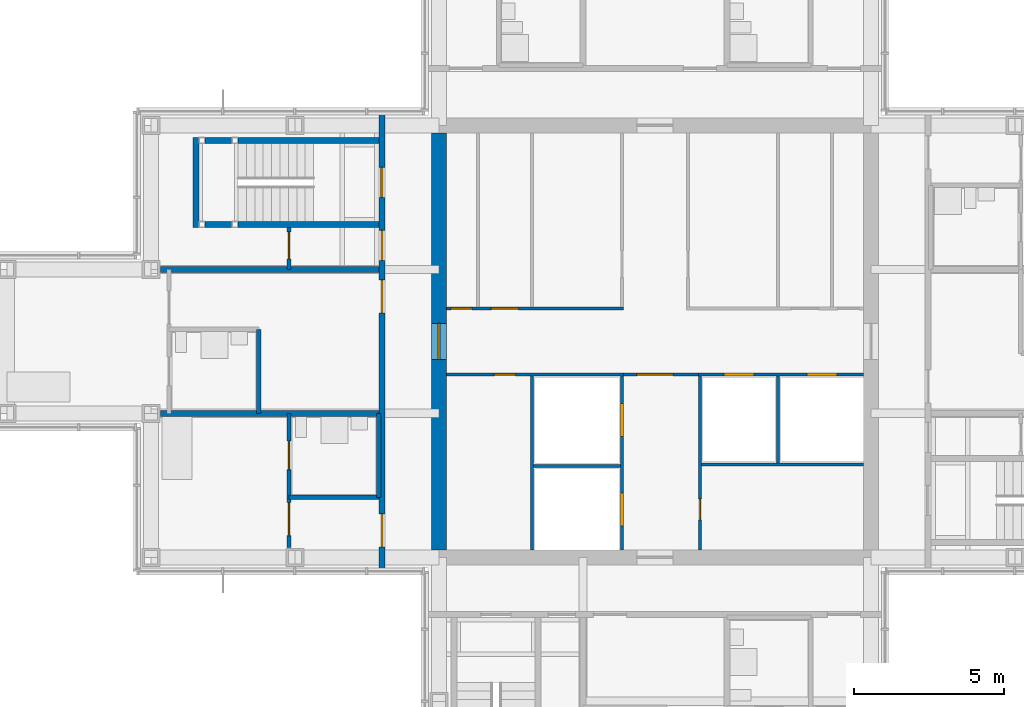
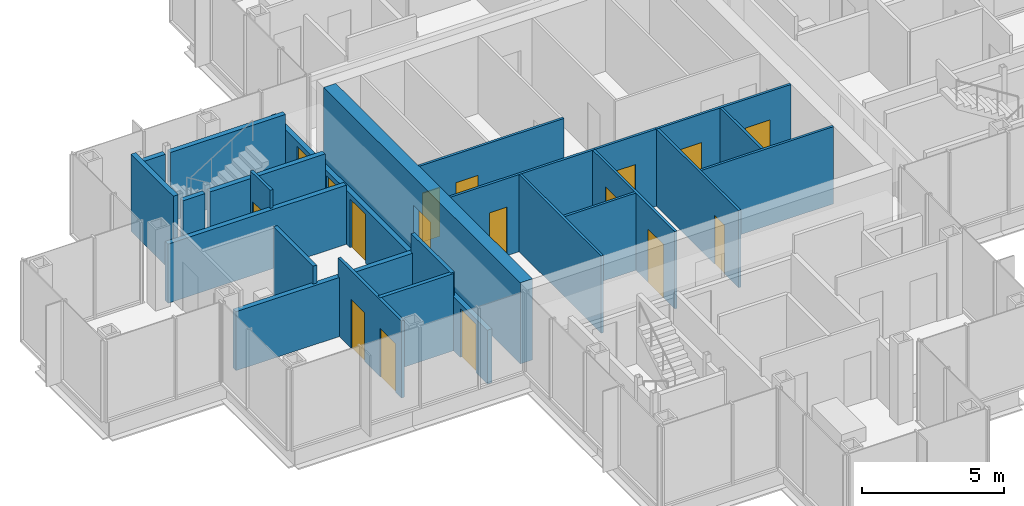
# One storey, part 12 of 17: 24 walls, 17 doors, 17 openings.
"""IFC4 building model written with IfcOpenShell, lengths in metres."""

from ifc_helpers import new_model, si_unit, direction, frame, frame_2d, origin, place, context, subcontext, project, spatial, rectangle, extrude, material, layer, layer_set, type_object, element, fill, save


model = new_model("IFC4")

# Units and contexts
model_context = context("Model", 3, precision=1e-05, world=origin(), true_north=direction((0.0, 1.0)))
body_context = subcontext(model_context, "Body", "Model", "MODEL_VIEW")
ifc_project = project(units=[si_unit("LENGTHUNIT", "METRE"), si_unit("AREAUNIT", "SQUARE_METRE"), si_unit("VOLUMEUNIT", "CUBIC_METRE"), si_unit("PLANEANGLEUNIT", "RADIAN"), si_unit("MASSUNIT", "GRAM", prefix="KILO")], contexts=[model_context])

# Site, building, storey
site_placement = place(None, origin())
site = spatial("IfcSite", under=ifc_project, at=site_placement, CompositionType="ELEMENT")
building_placement = place(site_placement, origin())
building = spatial("IfcBuilding", under=site, at=building_placement, Name="Kvirike Care Tower", CompositionType="ELEMENT")
storey_placement = place(building_placement, frame((0.0, 0.0, 176.0)))
storey = spatial("IfcBuildingStorey", under=building, at=storey_placement, Name="L48", CompositionType="ELEMENT", Elevation=176.0)

# Walls
ifc_material_1 = material(Name="Moisture-resistant board partition", Category="gypsum")
ifc_layer_1 = layer(ifc_material_1, 0.14990234375)
ifc_layer_set_1 = layer_set([ifc_layer_1], Name="BATHROOM WALL 150")
wall_type_1 = type_object("IfcWallType", Name="BATHROOM WALL 150", PredefinedType="PARTITIONING", material=ifc_layer_set_1)
wall_1_placement = place(storey_placement, frame((8.39990234375, 36.39990234375, 0.0), z_axis=(0.0, 0.0, 1.0), x_axis=(0.0, -1.0, 0.0)))
element("IfcWall", 1, at=wall_1_placement, inside=storey, type_object=wall_type_1, Name="Bathroom Wall 150 L48", PredefinedType="PARTITIONING", context=body_context, shape_type="SweptSolid", body=[
    extrude(rectangle(XDim=2.7998046875, YDim=0.14990234375, at=frame_2d((1.39990234375, 0.0))), origin(), (0.0, 0.0, 1.0), 3.330078125),
])
wall_2_placement = place(storey_placement, frame((9.39990234375, 30.800048828125, 0.0), z_axis=(0.0, 0.0, 1.0), x_axis=(1.0, 0.0, 0.0)))
element("IfcWall", 2, at=wall_2_placement, inside=storey, type_object=wall_type_1, Name="Bathroom Wall 150 L48", PredefinedType="PARTITIONING", context=body_context, shape_type="SweptSolid", body=[
    extrude(rectangle(XDim=3.0, YDim=0.14990234375, at=frame_2d((1.5, 0.0))), origin(), (0.0, 0.0, 1.0), 3.330078125),
])
wall_3_placement = place(storey_placement, frame((12.39990234375, 33.60009765625, 0.0), z_axis=(0.0, 0.0, 1.0), x_axis=(0.0, -1.0, 0.0)))
element("IfcWall", 3, at=wall_3_placement, inside=storey, type_object=wall_type_1, Name="Bathroom Wall 150 L48", PredefinedType="PARTITIONING", context=body_context, shape_type="SweptSolid", body=[
    extrude(rectangle(XDim=2.800048828125, YDim=0.14990234375, at=frame_2d((1.39990234375, 0.0))), origin(), (0.0, 0.0, 1.0), 3.330078125),
])

# Wall, opening, door
ifc_material_2 = material(Name="Concrete C45/55", Category="concrete")
ifc_layer_2 = layer(ifc_material_2, 0.5)
ifc_layer_set_2 = layer_set([ifc_layer_2], Name="CORE WALL 500 C45-55")
wall_type_2 = type_object("IfcWallType", Name="CORE WALL 500 C45-55", PredefinedType="SHEAR", material=ifc_layer_set_2)
wall_4_placement = place(storey_placement, frame((14.39990234375, 42.949951171875, -0.169921875), z_axis=(0.0, 0.0, 1.0), x_axis=(0.0, -1.0, 0.0)))
wall_4 = element("IfcWall", 4, at=wall_4_placement, inside=storey, type_object=wall_type_2, Name="Core wall W L48", PredefinedType="SHEAR", context=body_context, shape_type="SweptSolid", body=[
    extrude(rectangle(XDim=13.89990234375, YDim=0.5, at=frame_2d((6.949951171875, 0.0))), origin(), (0.0, 0.0, 1.0), 3.5),
])
opening_1_placement = place(wall_4_placement, frame((6.35009765625, 0.0, 0.169921875)))
opening_1 = element("IfcOpeningElement", 5, at=opening_1_placement, cuts=wall_4, Name="Opening 48-050", PredefinedType="OPENING", context=body_context, shape_type="SweptSolid", body=[
    extrude(rectangle(XDim=1.199951171875, YDim=2.10009765625, at=frame_2d((0.60009765625, 1.050048828125))), frame((0.0, 0.260498046875, 0.0), z_axis=(0.0, -1.0, 0.0), x_axis=(1.0, 0.0, 0.0)), (0.0, 0.0, 1.0), 0.52099609375),
])
ifc_material_3 = material(Name="Timber door set", Category="wood")
door_type_1 = type_object("IfcDoorType", Name="CORE DOOR 1200", OperationType="SINGLE_SWING_LEFT", PredefinedType="DOOR", material=ifc_material_3)
door_1_placement = place(opening_1_placement, origin())
door_1 = element("IfcDoor", 6, at=door_1_placement, inside=storey, type_object=door_type_1, Name="Core door W L48", OperationType="SINGLE_SWING_LEFT", OverallHeight=2.10009765625, OverallWidth=1.199951171875, PredefinedType="DOOR", context=body_context, shape_type="SweptSolid", body=[
    extrude(rectangle(XDim=1.199951171875, YDim=2.10009765625, at=frame_2d((0.60009765625, 1.050048828125))), frame((0.0, 0.02685546875, 0.0), z_axis=(0.0, -1.0, 0.0), x_axis=(1.0, 0.0, 0.0)), (0.0, 0.0, 1.0), 0.053955078125),
])
fill(opening_1, door_1)

# Wall, openings, doors
ifc_material_4 = material(Name="Plasterboard corridor wall", Category="gypsum")
ifc_layer_3 = layer(ifc_material_4, 0.199951171875)
ifc_layer_set_3 = layer_set([ifc_layer_3], Name="CORRIDOR WALL 200")
wall_type_3 = type_object("IfcWallType", Name="CORRIDOR WALL 200", PredefinedType="PARTITIONING", material=ifc_layer_set_3)
wall_5_placement = place(storey_placement, frame((12.5, 43.64990234375, 0.0), z_axis=(0.0, 0.0, 1.0), x_axis=(0.0, -1.0, 0.0)))
wall_5 = element("IfcWall", 7, at=wall_5_placement, inside=storey, type_object=wall_type_3, Name="Corridor Wall 200 L48", PredefinedType="PARTITIONING", context=body_context, shape_type="SweptSolid", body=[
    extrude(rectangle(XDim=15.2998046875, YDim=0.199951171875, at=frame_2d((7.64990234375, 0.0))), origin(), (0.0, 0.0, 1.0), 2.320068359375),
])
opening_2_placement = place(wall_5_placement, frame((1.85009765625, 0.0, 0.0)))
opening_2 = element("IfcOpeningElement", 8, at=opening_2_placement, cuts=wall_5, Name="Opening 48-006", PredefinedType="OPENING", context=body_context, shape_type="SweptSolid", body=[
    extrude(rectangle(XDim=1.0, YDim=2.10009765625, at=frame_2d((0.5, 1.050048828125))), frame((0.0, 0.110595703125, 0.0), z_axis=(0.0, -1.0, 0.0), x_axis=(1.0, 0.0, 0.0)), (0.0, 0.0, 1.0), 0.220947265625),
])
opening_3_placement = place(wall_5_placement, frame((3.949951171875, 0.0, 0.0)))
opening_3 = element("IfcOpeningElement", 9, at=opening_3_placement, cuts=wall_5, Name="Opening 48-007", PredefinedType="OPENING", context=body_context, shape_type="SweptSolid", body=[
    extrude(rectangle(XDim=1.0, YDim=2.10009765625, at=frame_2d((0.5, 1.050048828125))), frame((0.0, 0.110595703125, 0.0), z_axis=(0.0, -1.0, 0.0), x_axis=(1.0, 0.0, 0.0)), (0.0, 0.0, 1.0), 0.220947265625),
])
opening_4_placement = place(wall_5_placement, frame((5.60009765625, 0.0, 0.0)))
opening_4 = element("IfcOpeningElement", 10, at=opening_4_placement, cuts=wall_5, Name="Opening 48-008", PredefinedType="OPENING", context=body_context, shape_type="SweptSolid", body=[
    extrude(rectangle(XDim=1.10009765625, YDim=2.10009765625, at=frame_2d((0.550048828125, 1.050048828125))), frame((0.0, 0.110595703125, 0.0), z_axis=(0.0, -1.0, 0.0), x_axis=(1.0, 0.0, 0.0)), (0.0, 0.0, 1.0), 0.220947265625),
])
opening_5_placement = place(wall_5_placement, frame((13.39990234375, 0.0, 0.0)))
opening_5 = element("IfcOpeningElement", 11, at=opening_5_placement, cuts=wall_5, Name="Opening 48-009", PredefinedType="OPENING", context=body_context, shape_type="SweptSolid", body=[
    extrude(rectangle(XDim=1.10009765625, YDim=2.10009765625, at=frame_2d((0.550048828125, 1.050048828125))), frame((0.0, 0.110595703125, 0.0), z_axis=(0.0, -1.0, 0.0), x_axis=(1.0, 0.0, 0.0)), (0.0, 0.0, 1.0), 0.220947265625),
])
ifc_material_5 = material(Name="Timber door set", Category="wood")
door_type_2 = type_object("IfcDoorType", Name="BEDROOM ENTRANCE DOOR 1100", OperationType="SINGLE_SWING_LEFT", PredefinedType="DOOR", material=ifc_material_5)
door_2_placement = place(opening_4_placement, frame((1.10009765625, 0.0, 0.0), z_axis=(0.0, 0.0, 1.0), x_axis=(-1.0, 0.0, 0.0)))
door_2 = element("IfcDoor", 12, at=door_2_placement, inside=storey, type_object=door_type_2, Name="Memory care bedroom entrance", OperationType="SINGLE_SWING_LEFT", OverallHeight=2.10009765625, OverallWidth=1.10009765625, PredefinedType="DOOR", context=body_context, shape_type="SweptSolid", body=[
    extrude(rectangle(XDim=1.10009765625, YDim=2.10009765625, at=frame_2d((0.550048828125, 1.050048828125))), frame((0.0, 0.02685546875, 0.0), z_axis=(0.0, -1.0, 0.0), x_axis=(1.0, 0.0, 0.0)), (0.0, 0.0, 1.0), 0.053955078125),
])
fill(opening_4, door_2)
door_3_placement = place(opening_5_placement, frame((1.10009765625, 0.0, 0.0), z_axis=(0.0, 0.0, 1.0), x_axis=(-1.0, 0.0, 0.0)))
door_3 = element("IfcDoor", 13, at=door_3_placement, inside=storey, type_object=door_type_2, Name="Memory care bedroom entrance", OperationType="SINGLE_SWING_RIGHT", OverallHeight=2.10009765625, OverallWidth=1.10009765625, PredefinedType="DOOR", context=body_context, shape_type="SweptSolid", body=[
    extrude(rectangle(XDim=1.10009765625, YDim=2.10009765625, at=frame_2d((0.550048828125, 1.050048828125))), frame((0.0, 0.02685546875, 0.0), z_axis=(0.0, -1.0, 0.0), x_axis=(1.0, 0.0, 0.0)), (0.0, 0.0, 1.0), 0.053955078125),
])
fill(opening_5, door_3)
ifc_material_6 = material(Name="Timber door set", Category="wood")
door_type_3 = type_object("IfcDoorType", Name="FLAT ENTRANCE DOOR 1000", OperationType="SINGLE_SWING_LEFT", PredefinedType="DOOR", material=ifc_material_6)
door_4_placement = place(opening_3_placement, frame((1.0, 0.0, 0.0), z_axis=(0.0, 0.0, 1.0), x_axis=(-1.0, 0.0, 0.0)))
door_4 = element("IfcDoor", 14, at=door_4_placement, inside=storey, type_object=door_type_3, Name="Activity room entrance", OperationType="SINGLE_SWING_LEFT", OverallHeight=2.10009765625, OverallWidth=1.0, PredefinedType="DOOR", context=body_context, shape_type="SweptSolid", body=[
    extrude(rectangle(XDim=1.0, YDim=2.10009765625, at=frame_2d((0.5, 1.050048828125))), frame((0.0, 0.02685546875, 0.0), z_axis=(0.0, -1.0, 0.0), x_axis=(1.0, 0.0, 0.0)), (0.0, 0.0, 1.0), 0.053955078125),
])
fill(opening_3, door_4)
ifc_material_7 = material(Name="Timber door set", Category="wood")
door_type_4 = type_object("IfcDoorType", Name="STAIR DOOR 1000", OperationType="SINGLE_SWING_LEFT", PredefinedType="DOOR", material=ifc_material_7)
door_5_placement = place(opening_2_placement, frame((1.0, 0.0, 0.0), z_axis=(0.0, 0.0, 1.0), x_axis=(-1.0, 0.0, 0.0)))
door_5 = element("IfcDoor", 15, at=door_5_placement, inside=storey, type_object=door_type_4, Name="Stair 1 door", OperationType="SINGLE_SWING_LEFT", OverallHeight=2.10009765625, OverallWidth=1.0, PredefinedType="DOOR", context=body_context, shape_type="SweptSolid", body=[
    extrude(rectangle(XDim=1.0, YDim=2.10009765625, at=frame_2d((0.5, 1.050048828125))), frame((0.0, 0.031982421875, 0.0), z_axis=(0.0, -1.0, 0.0), x_axis=(1.0, 0.0, 0.0)), (0.0, 0.0, 1.0), 0.06396484375),
])
fill(opening_2, door_5)

# Wall, opening, door
ifc_material_8 = material(Name="Plasterboard partition", Category="gypsum")
ifc_layer_4 = layer(ifc_material_8, 0.1201171875)
ifc_layer_set_4 = layer_set([ifc_layer_4], Name="PARTITION 120")
wall_type_4 = type_object("IfcWallType", Name="PARTITION 120", PredefinedType="PARTITIONING", material=ifc_layer_set_4)
wall_6_placement = place(storey_placement, frame((9.39990234375, 39.800048828125, 0.0), z_axis=(0.0, 0.0, 1.0), x_axis=(0.0, -1.0, 0.0)))
wall_6 = element("IfcWall", 16, at=wall_6_placement, inside=storey, type_object=wall_type_4, Name="Partition 120 L48", PredefinedType="PARTITIONING", context=body_context, shape_type="SweptSolid", body=[
    extrude(rectangle(XDim=1.400146484375, YDim=0.1201171875, at=frame_2d((0.7001953125, 0.0))), origin(), (0.0, 0.0, 1.0), 3.330078125),
])
opening_6_placement = place(wall_6_placement, frame((0.14990234375, 0.0, 0.0)))
opening_6 = element("IfcOpeningElement", 17, at=opening_6_placement, cuts=wall_6, Name="Opening 48-001", PredefinedType="OPENING", context=body_context, shape_type="SweptSolid", body=[
    extrude(rectangle(XDim=0.89990234375, YDim=2.10009765625, at=frame_2d((0.449951171875, 1.050048828125))), frame((0.0, 0.070556640625, 0.0), z_axis=(0.0, -1.0, 0.0), x_axis=(1.0, 0.0, 0.0)), (0.0, 0.0, 1.0), 0.14111328125),
])
ifc_material_9 = material(Name="Timber door set", Category="wood")
door_type_5 = type_object("IfcDoorType", Name="INTERNAL DOOR 900", OperationType="SINGLE_SWING_LEFT", PredefinedType="DOOR", material=ifc_material_9)
door_6_placement = place(opening_6_placement, origin())
door_6 = element("IfcDoor", 18, at=door_6_placement, inside=storey, type_object=door_type_5, Name="Activity room door", OperationType="SINGLE_SWING_RIGHT", OverallHeight=2.10009765625, OverallWidth=0.89990234375, PredefinedType="DOOR", context=body_context, shape_type="SweptSolid", body=[
    extrude(rectangle(XDim=0.89990234375, YDim=2.10009765625, at=frame_2d((0.449951171875, 1.050048828125))), frame((0.0, 0.02197265625, 0.0), z_axis=(0.0, -1.0, 0.0), x_axis=(1.0, 0.0, 0.0)), (0.0, 0.0, 1.0), 0.0439453125),
])
fill(opening_6, door_6)

# Wall, openings, doors
wall_7_placement = place(storey_placement, frame((9.39990234375, 33.60009765625, 0.0), z_axis=(0.0, 0.0, 1.0), x_axis=(0.0, -1.0, 0.0)))
wall_7 = element("IfcWall", 19, at=wall_7_placement, inside=storey, type_object=wall_type_4, Name="Partition 120 L48", PredefinedType="PARTITIONING", context=body_context, shape_type="SweptSolid", body=[
    extrude(rectangle(XDim=4.47998046875, YDim=0.1201171875, at=frame_2d((2.239990234375, 0.0))), origin(), (0.0, 0.0, 1.0), 3.330078125),
])
opening_7_placement = place(wall_7_placement, frame((2.97509765625, 0.0, 0.0)))
opening_7 = element("IfcOpeningElement", 20, at=opening_7_placement, cuts=wall_7, Name="Opening 48-004", PredefinedType="OPENING", context=body_context, shape_type="SweptSolid", body=[
    extrude(rectangle(XDim=1.10009765625, YDim=2.10009765625, at=frame_2d((0.550048828125, 1.050048828125))), frame((0.0, 0.070556640625, 0.0), z_axis=(0.0, -1.0, 0.0), x_axis=(1.0, 0.0, 0.0)), (0.0, 0.0, 1.0), 0.14111328125),
])
opening_8_placement = place(wall_7_placement, frame((0.925048828125, 0.0, 0.0)))
opening_8 = element("IfcOpeningElement", 21, at=opening_8_placement, cuts=wall_7, Name="Opening 48-005", PredefinedType="OPENING", context=body_context, shape_type="SweptSolid", body=[
    extrude(rectangle(XDim=0.949951171875, YDim=2.10009765625, at=frame_2d((0.47509765625, 1.050048828125))), frame((0.0, 0.070556640625, 0.0), z_axis=(0.0, -1.0, 0.0), x_axis=(1.0, 0.0, 0.0)), (0.0, 0.0, 1.0), 0.14111328125),
])
ifc_material_10 = material(Name="Timber door set", Category="wood")
door_type_6 = type_object("IfcDoorType", Name="BEDROOM DOOR 1100", OperationType="SINGLE_SWING_LEFT", PredefinedType="DOOR", material=ifc_material_10)
door_7_placement = place(opening_7_placement, origin())
door_7 = element("IfcDoor", 22, at=door_7_placement, inside=storey, type_object=door_type_6, Name="Memory care bedroom door", OperationType="SINGLE_SWING_RIGHT", OverallHeight=2.10009765625, OverallWidth=1.10009765625, PredefinedType="DOOR", context=body_context, shape_type="SweptSolid", body=[
    extrude(rectangle(XDim=1.10009765625, YDim=2.10009765625, at=frame_2d((0.550048828125, 1.050048828125))), frame((0.0, 0.02197265625, 0.0), z_axis=(0.0, -1.0, 0.0), x_axis=(1.0, 0.0, 0.0)), (0.0, 0.0, 1.0), 0.0439453125),
])
fill(opening_7, door_7)
ifc_material_11 = material(Name="Timber door set", Category="wood")
door_type_7 = type_object("IfcDoorType", Name="EN-SUITE SLIDING DOOR 950", OperationType="SLIDING_TO_LEFT", PredefinedType="DOOR", material=ifc_material_11)
door_8_placement = place(opening_8_placement, origin())
door_8 = element("IfcDoor", 23, at=door_8_placement, inside=storey, type_object=door_type_7, Name="En-suite door", OperationType="SLIDING_TO_RIGHT", OverallHeight=2.10009765625, OverallWidth=0.949951171875, PredefinedType="DOOR", context=body_context, shape_type="SweptSolid", body=[
    extrude(rectangle(XDim=0.949951171875, YDim=2.10009765625, at=frame_2d((0.47509765625, 1.050048828125))), frame((0.0, 0.02197265625, 0.0), z_axis=(0.0, -1.0, 0.0), x_axis=(1.0, 0.0, 0.0)), (0.0, 0.0, 1.0), 0.0439453125),
])
fill(opening_8, door_8)

# Walls
ifc_material_12 = material(Name="Plasterboard party wall", Category="gypsum")
ifc_layer_5 = layer(ifc_material_12, 0.199951171875)
ifc_layer_set_5 = layer_set([ifc_layer_5], Name="PARTY WALL 200")
wall_type_5 = type_object("IfcWallType", Name="PARTY WALL 200", PredefinedType="PARTITIONING", material=ifc_layer_set_5)
for number, where, z_axis, x_axis, name in (
    (24, (5.1201171875, 38.39990234375, 0.0), (0.0, 0.0, 1.0), (1.0, 0.0, 0.0), "Party Wall 200 L48"),
    (25, (5.1201171875, 33.60009765625, 0.0), (0.0, 0.0, 1.0), (1.0, 0.0, 0.0), "Party Wall 200 L48"),
):
    element("IfcWall", number, at=place(storey_placement, frame(where, z_axis=z_axis, x_axis=x_axis)), inside=storey, type_object=wall_type_5, Name=name, PredefinedType="PARTITIONING", context=body_context, shape_type="SweptSolid", body=[
        extrude(rectangle(XDim=7.27978515625, YDim=0.199951171875, at=frame_2d((3.639892578125, 0.0))), origin(), (0.0, 0.0, 1.0), 2.550048828125),
    ])

# Wall, openings, doors
ifc_material_13 = material(Name="Gypsum shaft wall system", Category="gypsum")
ifc_layer_6 = layer(ifc_material_13, 0.10009765625)
ifc_layer_set_6 = layer_set([ifc_layer_6], Name="SHAFT WALL 100")
wall_type_6 = type_object("IfcWallType", Name="SHAFT WALL 100", PredefinedType="SOLIDWALL", material=ifc_layer_set_6)
wall_8_placement = place(storey_placement, frame((20.5, 29.050048828125, 0.0), z_axis=(0.0, 0.0, 1.0), x_axis=(0.0, 1.0, 0.0)))
wall_8 = element("IfcWall", 26, at=wall_8_placement, inside=storey, type_object=wall_type_6, Name="Shaft Wall 100 L48", PredefinedType="SOLIDWALL", context=body_context, shape_type="SweptSolid", body=[
    extrude(rectangle(XDim=5.800048828125, YDim=0.10009765625, at=frame_2d((2.89990234375, 0.0))), origin(), (0.0, 0.0, 1.0), 3.330078125),
])
opening_9_placement = place(wall_8_placement, frame((0.800048828125, 0.0, 0.0)))
opening_9 = element("IfcOpeningElement", 27, at=opening_9_placement, cuts=wall_8, Name="Opening 48-036", PredefinedType="OPENING", context=body_context, shape_type="SweptSolid", body=[
    extrude(rectangle(XDim=1.10009765625, YDim=2.300048828125, at=frame_2d((0.550048828125, 1.14990234375))), frame((0.0, 0.060546875, 0.0), z_axis=(0.0, -1.0, 0.0), x_axis=(1.0, 0.0, 0.0)), (0.0, 0.0, 1.0), 0.12109375),
])
opening_10_placement = place(wall_8_placement, frame((3.77490234375, 0.0, 0.0)))
opening_10 = element("IfcOpeningElement", 28, at=opening_10_placement, cuts=wall_8, Name="Opening 48-037", PredefinedType="OPENING", context=body_context, shape_type="SweptSolid", body=[
    extrude(rectangle(XDim=1.10009765625, YDim=2.300048828125, at=frame_2d((0.550048828125, 1.14990234375))), frame((0.0, 0.060546875, 0.0), z_axis=(0.0, -1.0, 0.0), x_axis=(1.0, 0.0, 0.0)), (0.0, 0.0, 1.0), 0.12109375),
])
ifc_material_14 = material(Name="Aluminium door frame", Category="aluminium")
door_type_8 = type_object("IfcDoorType", Name="FIRE-FIGHTING LIFT LANDING DOOR 1100", OperationType="SLIDING_TO_LEFT", PredefinedType="DOOR", material=ifc_material_14)
door_9_placement = place(opening_9_placement, origin())
door_9 = element("IfcDoor", 29, at=door_9_placement, inside=storey, type_object=door_type_8, Name="Lift FF1 landing door", OperationType="SLIDING_TO_LEFT", OverallHeight=2.300048828125, OverallWidth=1.10009765625, PredefinedType="DOOR", context=body_context, shape_type="SweptSolid", body=[
    extrude(rectangle(XDim=1.10009765625, YDim=2.300048828125, at=frame_2d((0.550048828125, 1.14990234375))), frame((0.0, 0.0498046875, 0.0), z_axis=(0.0, -1.0, 0.0), x_axis=(1.0, 0.0, 0.0)), (0.0, 0.0, 1.0), 0.099609375),
])
fill(opening_9, door_9)
door_10_placement = place(opening_10_placement, origin())
door_10 = element("IfcDoor", 30, at=door_10_placement, inside=storey, type_object=door_type_8, Name="Lift FF2 landing door", OperationType="SLIDING_TO_LEFT", OverallHeight=2.300048828125, OverallWidth=1.10009765625, PredefinedType="DOOR", context=body_context, shape_type="SweptSolid", body=[
    extrude(rectangle(XDim=1.10009765625, YDim=2.300048828125, at=frame_2d((0.550048828125, 1.14990234375))), frame((0.0, 0.0498046875, 0.0), z_axis=(0.0, -1.0, 0.0), x_axis=(1.0, 0.0, 0.0)), (0.0, 0.0, 1.0), 0.099609375),
])
fill(opening_10, door_10)

# Wall, opening, door
wall_9_placement = place(storey_placement, frame((23.10009765625, 29.050048828125, 0.0), z_axis=(0.0, 0.0, 1.0), x_axis=(0.0, 1.0, 0.0)))
wall_9 = element("IfcWall", 31, at=wall_9_placement, inside=storey, type_object=wall_type_6, Name="Shaft Wall 100 L48", PredefinedType="SOLIDWALL", context=body_context, shape_type="SweptSolid", body=[
    extrude(rectangle(XDim=5.800048828125, YDim=0.10009765625, at=frame_2d((2.89990234375, 0.0))), origin(), (0.0, 0.0, 1.0), 3.330078125),
])
opening_11_placement = place(wall_9_placement, frame((1.0, 0.0, 0.0)))
opening_11 = element("IfcOpeningElement", 32, at=opening_11_placement, cuts=wall_9, Name="Opening 48-040", PredefinedType="OPENING", context=body_context, shape_type="SweptSolid", body=[
    extrude(rectangle(XDim=0.699951171875, YDim=2.10009765625, at=frame_2d((0.35009765625, 1.050048828125))), frame((0.0, 0.060546875, 0.0), z_axis=(0.0, -1.0, 0.0), x_axis=(1.0, 0.0, 0.0)), (0.0, 0.0, 1.0), 0.12109375),
])
ifc_material_15 = material(Name="Timber door set", Category="wood")
door_type_9 = type_object("IfcDoorType", Name="RISER DOOR 700", OperationType="SINGLE_SWING_LEFT", PredefinedType="DOOR", material=ifc_material_15)
door_11_placement = place(opening_11_placement, origin())
door_11 = element("IfcDoor", 33, at=door_11_placement, inside=storey, type_object=door_type_9, Name="Riser door", OperationType="SINGLE_SWING_RIGHT", OverallHeight=2.10009765625, OverallWidth=0.699951171875, PredefinedType="DOOR", context=body_context, shape_type="SweptSolid", body=[
    extrude(rectangle(XDim=0.699951171875, YDim=2.10009765625, at=frame_2d((0.35009765625, 1.050048828125))), frame((0.0, 0.02685546875, 0.0), z_axis=(0.0, -1.0, 0.0), x_axis=(1.0, 0.0, 0.0)), (0.0, 0.0, 1.0), 0.053955078125),
])
fill(opening_11, door_11)

wall_10_placement = place(storey_placement, frame((14.64990234375, 34.89990234375, 0.0), z_axis=(0.0, 0.0, 1.0), x_axis=(1.0, 0.0, 0.0)))
wall_10 = element("IfcWall", 34, at=wall_10_placement, inside=storey, type_object=wall_type_6, Name="Shaft Wall 100 L48", PredefinedType="SOLIDWALL", context=body_context, shape_type="SweptSolid", body=[
    extrude(rectangle(XDim=5.900146484375, YDim=0.10009765625, at=frame_2d((2.9501953125, 0.0))), origin(), (0.0, 0.0, 1.0), 3.330078125),
])
opening_12_placement = place(wall_10_placement, frame((1.60009765625, 0.0, 0.0)))
opening_12 = element("IfcOpeningElement", 35, at=opening_12_placement, cuts=wall_10, Name="Opening 48-041", PredefinedType="OPENING", context=body_context, shape_type="SweptSolid", body=[
    extrude(rectangle(XDim=0.699951171875, YDim=2.10009765625, at=frame_2d((0.35009765625, 1.050048828125))), frame((0.0, 0.060546875, 0.0), z_axis=(0.0, -1.0, 0.0), x_axis=(1.0, 0.0, 0.0)), (0.0, 0.0, 1.0), 0.12109375),
])
door_12_placement = place(opening_12_placement, frame((0.699951171875, 0.0, 0.0), z_axis=(0.0, 0.0, 1.0), x_axis=(-1.0, 0.0, 0.0)))
door_12 = element("IfcDoor", 36, at=door_12_placement, inside=storey, type_object=door_type_9, Name="Riser door", OperationType="SINGLE_SWING_RIGHT", OverallHeight=2.10009765625, OverallWidth=0.699951171875, PredefinedType="DOOR", context=body_context, shape_type="SweptSolid", body=[
    extrude(rectangle(XDim=0.699951171875, YDim=2.10009765625, at=frame_2d((0.35009765625, 1.050048828125))), frame((0.0, 0.02685546875, 0.0), z_axis=(0.0, -1.0, 0.0), x_axis=(1.0, 0.0, 0.0)), (0.0, 0.0, 1.0), 0.053955078125),
])
fill(opening_12, door_12)

# Wall, openings, doors
wall_11_placement = place(storey_placement, frame((23.050048828125, 34.89990234375, 0.0), z_axis=(0.0, 0.0, 1.0), x_axis=(1.0, 0.0, 0.0)))
wall_11 = element("IfcWall", 37, at=wall_11_placement, inside=storey, type_object=wall_type_6, Name="Shaft Wall 100 L48", PredefinedType="SOLIDWALL", context=body_context, shape_type="SweptSolid", body=[
    extrude(rectangle(XDim=5.5, YDim=0.10009765625, at=frame_2d((2.75, 0.0))), origin(), (0.0, 0.0, 1.0), 3.330078125),
])
opening_13_placement = place(wall_11_placement, frame((0.85009765625, 0.0, 0.0)))
opening_13 = element("IfcOpeningElement", 38, at=opening_13_placement, cuts=wall_11, Name="Opening 48-042", PredefinedType="OPENING", context=body_context, shape_type="SweptSolid", body=[
    extrude(rectangle(XDim=1.0, YDim=2.10009765625, at=frame_2d((0.5, 1.050048828125))), frame((0.0, 0.060546875, 0.0), z_axis=(0.0, -1.0, 0.0), x_axis=(1.0, 0.0, 0.0)), (0.0, 0.0, 1.0), 0.12109375),
])
opening_14_placement = place(wall_11_placement, frame((3.625, 0.0, 0.0)))
opening_14 = element("IfcOpeningElement", 39, at=opening_14_placement, cuts=wall_11, Name="Opening 48-043", PredefinedType="OPENING", context=body_context, shape_type="SweptSolid", body=[
    extrude(rectangle(XDim=1.0, YDim=2.10009765625, at=frame_2d((0.5, 1.050048828125))), frame((0.0, 0.060546875, 0.0), z_axis=(0.0, -1.0, 0.0), x_axis=(1.0, 0.0, 0.0)), (0.0, 0.0, 1.0), 0.12109375),
])
ifc_material_16 = material(Name="Aluminium door frame", Category="aluminium")
door_type_10 = type_object("IfcDoorType", Name="LIFT LANDING DOOR 1000", OperationType="SLIDING_TO_LEFT", PredefinedType="DOOR", material=ifc_material_16)
door_13_placement = place(opening_13_placement, origin())
door_13 = element("IfcDoor", 40, at=door_13_placement, inside=storey, type_object=door_type_10, Name="Lift P5 landing door", OperationType="SLIDING_TO_LEFT", OverallHeight=2.10009765625, OverallWidth=1.0, PredefinedType="DOOR", context=body_context, shape_type="SweptSolid", body=[
    extrude(rectangle(XDim=1.0, YDim=2.10009765625, at=frame_2d((0.5, 1.050048828125))), frame((0.0, 0.0498046875, 0.0), z_axis=(0.0, -1.0, 0.0), x_axis=(1.0, 0.0, 0.0)), (0.0, 0.0, 1.0), 0.099609375),
])
fill(opening_13, door_13)
door_14_placement = place(opening_14_placement, origin())
door_14 = element("IfcDoor", 41, at=door_14_placement, inside=storey, type_object=door_type_10, Name="Lift P6 landing door", OperationType="SLIDING_TO_LEFT", OverallHeight=2.10009765625, OverallWidth=1.0, PredefinedType="DOOR", context=body_context, shape_type="SweptSolid", body=[
    extrude(rectangle(XDim=1.0, YDim=2.10009765625, at=frame_2d((0.5, 1.050048828125))), frame((0.0, 0.0498046875, 0.0), z_axis=(0.0, -1.0, 0.0), x_axis=(1.0, 0.0, 0.0)), (0.0, 0.0, 1.0), 0.099609375),
])
fill(opening_14, door_14)

wall_12_placement = place(storey_placement, frame((14.64990234375, 37.10009765625, 0.0), z_axis=(0.0, 0.0, 1.0), x_axis=(1.0, 0.0, 0.0)))
wall_12 = element("IfcWall", 42, at=wall_12_placement, inside=storey, type_object=wall_type_6, Name="Shaft Wall 100 L48", PredefinedType="SOLIDWALL", context=body_context, shape_type="SweptSolid", body=[
    extrude(rectangle(XDim=5.900146484375, YDim=0.10009765625, at=frame_2d((2.9501953125, 0.0))), origin(), (0.0, 0.0, 1.0), 3.330078125),
])
opening_15_placement = place(wall_12_placement, frame((0.14990234375, 0.0, 0.0)))
opening_15 = element("IfcOpeningElement", 43, at=opening_15_placement, cuts=wall_12, Name="Opening 48-044", PredefinedType="OPENING", context=body_context, shape_type="SweptSolid", body=[
    extrude(rectangle(XDim=0.699951171875, YDim=2.10009765625, at=frame_2d((0.35009765625, 1.050048828125))), frame((0.0, 0.060546875, 0.0), z_axis=(0.0, -1.0, 0.0), x_axis=(1.0, 0.0, 0.0)), (0.0, 0.0, 1.0), 0.12109375),
])
opening_16_placement = place(wall_12_placement, frame((1.5, 0.0, 0.0)))
opening_16 = element("IfcOpeningElement", 44, at=opening_16_placement, cuts=wall_12, Name="Opening 48-045", PredefinedType="OPENING", context=body_context, shape_type="SweptSolid", body=[
    extrude(rectangle(XDim=0.89990234375, YDim=2.10009765625, at=frame_2d((0.449951171875, 1.050048828125))), frame((0.0, 0.060546875, 0.0), z_axis=(0.0, -1.0, 0.0), x_axis=(1.0, 0.0, 0.0)), (0.0, 0.0, 1.0), 0.12109375),
])
door_15_placement = place(opening_15_placement, origin())
door_15 = element("IfcDoor", 45, at=door_15_placement, inside=storey, type_object=door_type_9, Name="Riser door", OperationType="SINGLE_SWING_RIGHT", OverallHeight=2.10009765625, OverallWidth=0.699951171875, PredefinedType="DOOR", context=body_context, shape_type="SweptSolid", body=[
    extrude(rectangle(XDim=0.699951171875, YDim=2.10009765625, at=frame_2d((0.35009765625, 1.050048828125))), frame((0.0, 0.02685546875, 0.0), z_axis=(0.0, -1.0, 0.0), x_axis=(1.0, 0.0, 0.0)), (0.0, 0.0, 1.0), 0.053955078125),
])
fill(opening_15, door_15)
ifc_material_17 = material(Name="Timber door set", Category="wood")
door_type_11 = type_object("IfcDoorType", Name="STORE DOOR 900", OperationType="SINGLE_SWING_LEFT", PredefinedType="DOOR", material=ifc_material_17)
door_16_placement = place(opening_16_placement, origin())
door_16 = element("IfcDoor", 46, at=door_16_placement, inside=storey, type_object=door_type_11, Name="Linen store door", OperationType="SINGLE_SWING_LEFT", OverallHeight=2.10009765625, OverallWidth=0.89990234375, PredefinedType="DOOR", context=body_context, shape_type="SweptSolid", body=[
    extrude(rectangle(XDim=0.89990234375, YDim=2.10009765625, at=frame_2d((0.449951171875, 1.050048828125))), frame((0.0, 0.02685546875, 0.0), z_axis=(0.0, -1.0, 0.0), x_axis=(1.0, 0.0, 0.0)), (0.0, 0.0, 1.0), 0.053955078125),
])
fill(opening_16, door_16)

# Wall, opening, door
wall_13_placement = place(storey_placement, frame((20.550048828125, 34.89990234375, 0.0), z_axis=(0.0, 0.0, 1.0), x_axis=(1.0, 0.0, 0.0)))
wall_13 = element("IfcWall", 47, at=wall_13_placement, inside=storey, type_object=wall_type_6, Name="Shaft Wall 100 L48", PredefinedType="SOLIDWALL", context=body_context, shape_type="SweptSolid", body=[
    extrude(rectangle(XDim=2.5, YDim=0.10009765625, at=frame_2d((1.25, 0.0))), origin(), (0.0, 0.0, 1.0), 3.330078125),
])
opening_17_placement = place(wall_13_placement, frame((0.449951171875, 0.0, 0.0)))
opening_17 = element("IfcOpeningElement", 48, at=opening_17_placement, cuts=wall_13, Name="Opening 48-048", PredefinedType="OPENING", context=body_context, shape_type="SweptSolid", body=[
    extrude(rectangle(XDim=1.199951171875, YDim=2.10009765625, at=frame_2d((0.60009765625, 1.050048828125))), frame((0.0, 0.060546875, 0.0), z_axis=(0.0, -1.0, 0.0), x_axis=(1.0, 0.0, 0.0)), (0.0, 0.0, 1.0), 0.12109375),
])
door_17_placement = place(opening_17_placement, frame((1.199951171875, 0.0, 0.0), z_axis=(0.0, 0.0, 1.0), x_axis=(-1.0, 0.0, 0.0)))
door_17 = element("IfcDoor", 49, at=door_17_placement, inside=storey, type_object=door_type_1, Name="Fire-fighting lobby door", OperationType="SINGLE_SWING_LEFT", OverallHeight=2.10009765625, OverallWidth=1.199951171875, PredefinedType="DOOR", context=body_context, shape_type="SweptSolid", body=[
    extrude(rectangle(XDim=1.199951171875, YDim=2.10009765625, at=frame_2d((0.60009765625, 1.050048828125))), frame((0.0, 0.02685546875, 0.0), z_axis=(0.0, -1.0, 0.0), x_axis=(1.0, 0.0, 0.0)), (0.0, 0.0, 1.0), 0.053955078125),
])
fill(opening_17, door_17)

# Walls
wall_14_placement = place(storey_placement, frame((17.5, 29.050048828125, 0.0), z_axis=(0.0, 0.0, 1.0), x_axis=(0.0, 1.0, 0.0)))
element("IfcWall", 50, at=wall_14_placement, inside=storey, type_object=wall_type_6, Name="Shaft Wall 100 L48", PredefinedType="SOLIDWALL", context=body_context, shape_type="SweptSolid", body=[
    extrude(rectangle(XDim=5.800048828125, YDim=0.10009765625, at=frame_2d((2.89990234375, 0.0))), origin(), (0.0, 0.0, 1.0), 3.330078125),
])
wall_15_placement = place(storey_placement, frame((17.550048828125, 31.85009765625, 0.0), z_axis=(0.0, 0.0, 1.0), x_axis=(1.0, 0.0, 0.0)))
element("IfcWall", 51, at=wall_15_placement, inside=storey, type_object=wall_type_6, Name="Shaft Wall 100 L48", PredefinedType="SOLIDWALL", context=body_context, shape_type="SweptSolid", body=[
    extrude(rectangle(XDim=2.89990234375, YDim=0.10009765625, at=frame_2d((1.449951171875, 0.0))), origin(), (0.0, 0.0, 1.0), 3.330078125),
])
wall_16_placement = place(storey_placement, frame((25.699951171875, 31.949951171875, 0.0), z_axis=(0.0, 0.0, 1.0), x_axis=(0.0, 1.0, 0.0)))
element("IfcWall", 52, at=wall_16_placement, inside=storey, type_object=wall_type_6, Name="Shaft Wall 100 L48", PredefinedType="SOLIDWALL", context=body_context, shape_type="SweptSolid", body=[
    extrude(rectangle(XDim=2.900146484375, YDim=0.10009765625, at=frame_2d((1.4501953125, 0.0))), origin(), (0.0, 0.0, 1.0), 3.330078125),
])
wall_17_placement = place(storey_placement, frame((23.14990234375, 31.89990234375, 0.0), z_axis=(0.0, 0.0, 1.0), x_axis=(1.0, 0.0, 0.0)))
element("IfcWall", 53, at=wall_17_placement, inside=storey, type_object=wall_type_6, Name="Shaft Wall 100 L48", PredefinedType="SOLIDWALL", context=body_context, shape_type="SweptSolid", body=[
    extrude(rectangle(XDim=5.400146484375, YDim=0.10009765625, at=frame_2d((2.7001953125, 0.0))), origin(), (0.0, 0.0, 1.0), 3.330078125),
])
ifc_material_18 = material(Name="Concrete C40/50", Category="concrete")
ifc_layer_7 = layer(ifc_material_18, 0.199951171875)
ifc_layer_set_7 = layer_set([ifc_layer_7], Name="STAIR WALL 200")
wall_type_7 = type_object("IfcWallType", Name="STAIR WALL 200", PredefinedType="SOLIDWALL", material=ifc_layer_set_7)
wall_18_placement = place(storey_placement, frame((6.60009765625, 42.699951171875, 0.0), z_axis=(0.0, 0.0, 1.0), x_axis=(1.0, 0.0, 0.0)))
element("IfcWall", 54, at=wall_18_placement, inside=storey, type_object=wall_type_7, Name="Stair Wall 200 L48", PredefinedType="SOLIDWALL", context=body_context, shape_type="SweptSolid", body=[
    extrude(rectangle(XDim=0.89990234375, YDim=0.199951171875, at=frame_2d((0.449951171875, 0.0))), origin(), (0.0, 0.0, 1.0), 2.989990234375),
])
wall_19_placement = place(storey_placement, frame((7.699951171875, 42.699951171875, 0.0), z_axis=(0.0, 0.0, 1.0), x_axis=(1.0, 0.0, 0.0)))
element("IfcWall", 55, at=wall_19_placement, inside=storey, type_object=wall_type_7, Name="Stair Wall 200 L48", PredefinedType="SOLIDWALL", context=body_context, shape_type="SweptSolid", body=[
    extrude(rectangle(XDim=4.699951171875, YDim=0.199951171875, at=frame_2d((2.35009765625, 0.0))), origin(), (0.0, 0.0, 1.0), 2.989990234375),
])
wall_20_placement = place(storey_placement, frame((6.60009765625, 39.89990234375, 0.0), z_axis=(0.0, 0.0, 1.0), x_axis=(1.0, 0.0, 0.0)))
element("IfcWall", 56, at=wall_20_placement, inside=storey, type_object=wall_type_7, Name="Stair Wall 200 L48", PredefinedType="SOLIDWALL", context=body_context, shape_type="SweptSolid", body=[
    extrude(rectangle(XDim=0.89990234375, YDim=0.199951171875, at=frame_2d((0.449951171875, 0.0))), origin(), (0.0, 0.0, 1.0), 2.989990234375),
])
wall_21_placement = place(storey_placement, frame((7.699951171875, 39.89990234375, 0.0), z_axis=(0.0, 0.0, 1.0), x_axis=(1.0, 0.0, 0.0)))
element("IfcWall", 57, at=wall_21_placement, inside=storey, type_object=wall_type_7, Name="Stair Wall 200 L48", PredefinedType="SOLIDWALL", context=body_context, shape_type="SweptSolid", body=[
    extrude(rectangle(XDim=4.699951171875, YDim=0.199951171875, at=frame_2d((2.35009765625, 0.0))), origin(), (0.0, 0.0, 1.0), 2.989990234375),
])
wall_22_placement = place(storey_placement, frame((6.300048828125, 42.800048828125, 0.0), z_axis=(0.0, 0.0, 1.0), x_axis=(0.0, -1.0, 0.0)))
element("IfcWall", 58, at=wall_22_placement, inside=storey, type_object=wall_type_7, Name="Stair Wall 200 L48", PredefinedType="SOLIDWALL", context=body_context, shape_type="SweptSolid", body=[
    extrude(rectangle(XDim=3.0, YDim=0.199951171875, at=frame_2d((1.5, 0.0))), origin(), (0.0, 0.0, 1.0), 3.330078125),
])

save(model, "model.ifc")
